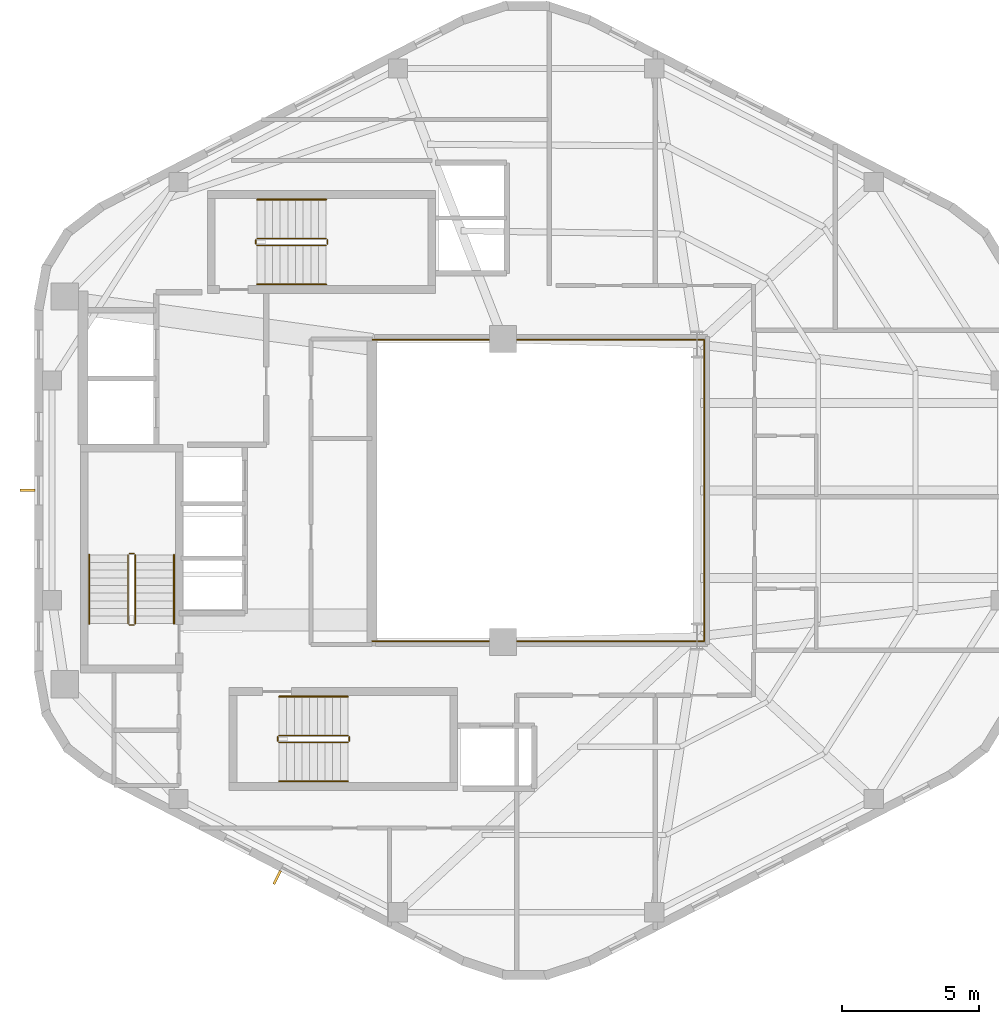
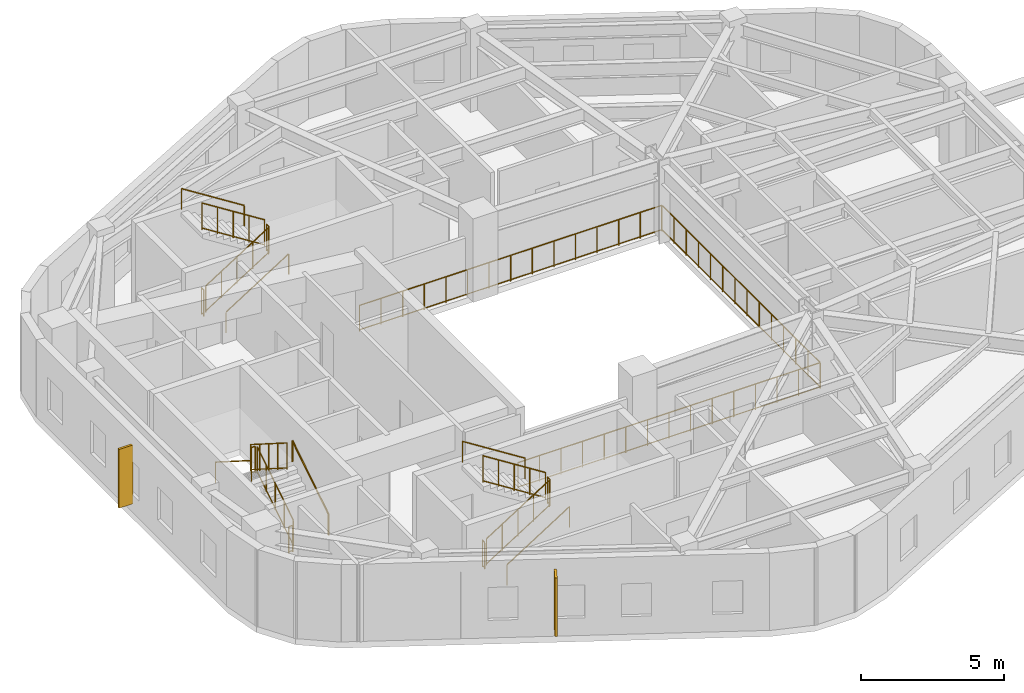
# One storey, part 6 of 6: 19 railings, 2 shading devices.
"""IFC4 building model written with IfcOpenShell, lengths in metres."""

from ifc_helpers import new_model, si_unit, direction, frame, origin, origin_2d, place, context, subcontext, project, spatial, rectangle, circle, extrude, material, type_object, element, save


model = new_model("IFC4")

# Units and contexts
model_context = context("Model", 3, precision=1e-05, world=origin(), true_north=direction((0.0, 1.0)))
body_context = subcontext(model_context, "Body", "Model", "MODEL_VIEW")
ifc_project = project(units=[si_unit("LENGTHUNIT", "METRE"), si_unit("AREAUNIT", "SQUARE_METRE"), si_unit("VOLUMEUNIT", "CUBIC_METRE"), si_unit("PLANEANGLEUNIT", "RADIAN"), si_unit("MASSUNIT", "GRAM", prefix="KILO"), si_unit("THERMODYNAMICTEMPERATUREUNIT", "KELVIN"), si_unit("POWERUNIT", "WATT")], contexts=[model_context])

# Site, building, storey
site_placement = place(None, origin())
site = spatial("IfcSite", under=ifc_project, at=site_placement, CompositionType="ELEMENT")
building_placement = place(site_placement, origin())
building = spatial("IfcBuilding", under=site, at=building_placement, Name="Skarre Station Tower", CompositionType="ELEMENT")
storey_placement = place(building_placement, frame((0.0, 0.0, 252.550048828125)))
storey = spatial("IfcBuildingStorey", under=building, at=storey_placement, Name="L69", CompositionType="ELEMENT", Elevation=252.550048828125)

# Railing
ifc_material_1 = material(Name="Bronze Anodized Steel & Laminated Glass Balustrade", Category="steel")
railing_type_1 = type_object("IfcRailingType", Name="Atrium Void & Mezzanine Guard Balustrade 1120", PredefinedType="GUARDRAIL", material=ifc_material_1)
railing_1_placement = place(storey_placement, frame((27.550048828125, 18.47998046875, 0.0)))
element("IfcRailing", 1, at=railing_1_placement, inside=storey, type_object=railing_type_1, Name="L69 Atrium Void Guard Balustrade", PredefinedType="GUARDRAIL", context=body_context, shape_type="SweptSolid", body=[
    extrude(circle(Radius=0.02392578125, at=origin_2d()), frame((0.0, 0.0, 1.09619140625), z_axis=(1.0, 0.0, 0.0), x_axis=(0.0, 1.0, 0.0)), (0.0, 0.0, 1.0), 12.169921875),
    extrude(circle(Radius=0.02099609375, at=origin_2d()), frame((0.0, 0.0, 0.06005859375), z_axis=(1.0, 0.0, 0.0), x_axis=(0.0, 1.0, 0.0)), (0.0, 0.0, 1.0), 12.169921875),
    extrude(circle(Radius=0.02392578125, at=origin_2d()), frame((12.169921875, 0.0, 1.09619140625), z_axis=(0.0, 1.0, 0.0), x_axis=(-1.0, 0.0, 0.0)), (0.0, 0.0, 1.0), 11.0400390625),
    extrude(circle(Radius=0.02099609375, at=origin_2d()), frame((12.169921875, 0.0, 0.06005859375), z_axis=(0.0, 1.0, 0.0), x_axis=(-1.0, 0.0, 0.0)), (0.0, 0.0, 1.0), 11.0400390625),
    extrude(circle(Radius=0.02392578125, at=origin_2d()), frame((12.169921875, 11.0400390625, 1.09619140625), z_axis=(-1.0, 0.0, 0.0), x_axis=(0.0, -1.0, 0.0)), (0.0, 0.0, 1.0), 12.169921875),
    extrude(circle(Radius=0.02099609375, at=origin_2d()), frame((12.169921875, 11.0400390625, 0.06005859375), z_axis=(-1.0, 0.0, 0.0), x_axis=(0.0, -1.0, 0.0)), (0.0, 0.0, 1.0), 12.169921875),
    extrude(circle(Radius=0.02099609375, at=origin_2d()), origin(), (0.0, 0.0, 1.0), 1.072021484375),
    extrude(circle(Radius=0.02099609375, at=origin_2d()), frame((0.869384765625, 0.0, 0.0)), (0.0, 0.0, 1.0), 1.072021484375),
    extrude(circle(Radius=0.02099609375, at=origin_2d()), frame((1.738525390625, 0.0, 0.0)), (0.0, 0.0, 1.0), 1.072021484375),
    extrude(circle(Radius=0.02099609375, at=origin_2d()), frame((2.60791015625, 0.0, 0.0)), (0.0, 0.0, 1.0), 1.072021484375),
    extrude(circle(Radius=0.02099609375, at=origin_2d()), frame((3.47705078125, 0.0, 0.0)), (0.0, 0.0, 1.0), 1.072021484375),
    extrude(circle(Radius=0.02099609375, at=origin_2d()), frame((4.346435546875, 0.0, 0.0)), (0.0, 0.0, 1.0), 1.072021484375),
    extrude(circle(Radius=0.02099609375, at=origin_2d()), frame((5.215576171875, 0.0, 0.0)), (0.0, 0.0, 1.0), 1.072021484375),
    extrude(circle(Radius=0.02099609375, at=origin_2d()), frame((6.0849609375, 0.0, 0.0)), (0.0, 0.0, 1.0), 1.072021484375),
    extrude(circle(Radius=0.02099609375, at=origin_2d()), frame((6.954345703125, 0.0, 0.0)), (0.0, 0.0, 1.0), 1.072021484375),
    extrude(circle(Radius=0.02099609375, at=origin_2d()), frame((7.823486328125, 0.0, 0.0)), (0.0, 0.0, 1.0), 1.072021484375),
    extrude(circle(Radius=0.02099609375, at=origin_2d()), frame((8.69287109375, 0.0, 0.0)), (0.0, 0.0, 1.0), 1.072021484375),
    extrude(circle(Radius=0.02099609375, at=origin_2d()), frame((9.56201171875, 0.0, 0.0)), (0.0, 0.0, 1.0), 1.072021484375),
    extrude(circle(Radius=0.02099609375, at=origin_2d()), frame((10.431396484375, 0.0, 0.0)), (0.0, 0.0, 1.0), 1.072021484375),
    extrude(circle(Radius=0.02099609375, at=origin_2d()), frame((11.300537109375, 0.0, 0.0)), (0.0, 0.0, 1.0), 1.072021484375),
    extrude(circle(Radius=0.02099609375, at=origin_2d()), frame((12.169921875, 0.0, 0.0)), (0.0, 0.0, 1.0), 1.072021484375),
    extrude(circle(Radius=0.02099609375, at=origin_2d()), frame((12.169921875, 0.84912109375, 0.0)), (0.0, 0.0, 1.0), 1.072021484375),
    extrude(circle(Radius=0.02099609375, at=origin_2d()), frame((12.169921875, 1.698486328125, 0.0)), (0.0, 0.0, 1.0), 1.072021484375),
    extrude(circle(Radius=0.02099609375, at=origin_2d()), frame((12.169921875, 2.547607421875, 0.0)), (0.0, 0.0, 1.0), 1.072021484375),
    extrude(circle(Radius=0.02099609375, at=origin_2d()), frame((12.169921875, 3.39697265625, 0.0)), (0.0, 0.0, 1.0), 1.072021484375),
    extrude(circle(Radius=0.02099609375, at=origin_2d()), frame((12.169921875, 4.24609375, 0.0)), (0.0, 0.0, 1.0), 1.072021484375),
    extrude(circle(Radius=0.02099609375, at=origin_2d()), frame((12.169921875, 5.095458984375, 0.0)), (0.0, 0.0, 1.0), 1.072021484375),
    extrude(circle(Radius=0.02099609375, at=origin_2d()), frame((12.169921875, 5.944580078125, 0.0)), (0.0, 0.0, 1.0), 1.072021484375),
    extrude(circle(Radius=0.02099609375, at=origin_2d()), frame((12.169921875, 6.7939453125, 0.0)), (0.0, 0.0, 1.0), 1.072021484375),
    extrude(circle(Radius=0.02099609375, at=origin_2d()), frame((12.169921875, 7.64306640625, 0.0)), (0.0, 0.0, 1.0), 1.072021484375),
    extrude(circle(Radius=0.02099609375, at=origin_2d()), frame((12.169921875, 8.492431640625, 0.0)), (0.0, 0.0, 1.0), 1.072021484375),
    extrude(circle(Radius=0.02099609375, at=origin_2d()), frame((12.169921875, 9.341552734375, 0.0)), (0.0, 0.0, 1.0), 1.072021484375),
    extrude(circle(Radius=0.02099609375, at=origin_2d()), frame((12.169921875, 10.19091796875, 0.0)), (0.0, 0.0, 1.0), 1.072021484375),
    extrude(circle(Radius=0.02099609375, at=origin_2d()), frame((12.169921875, 11.0400390625, 0.0)), (0.0, 0.0, 1.0), 1.072021484375),
    extrude(circle(Radius=0.02099609375, at=origin_2d()), frame((11.300537109375, 11.0400390625, 0.0)), (0.0, 0.0, 1.0), 1.072021484375),
    extrude(circle(Radius=0.02099609375, at=origin_2d()), frame((10.431396484375, 11.0400390625, 0.0)), (0.0, 0.0, 1.0), 1.072021484375),
    extrude(circle(Radius=0.02099609375, at=origin_2d()), frame((9.56201171875, 11.0400390625, 0.0)), (0.0, 0.0, 1.0), 1.072021484375),
    extrude(circle(Radius=0.02099609375, at=origin_2d()), frame((8.69287109375, 11.0400390625, 0.0)), (0.0, 0.0, 1.0), 1.072021484375),
    extrude(circle(Radius=0.02099609375, at=origin_2d()), frame((7.823486328125, 11.0400390625, 0.0)), (0.0, 0.0, 1.0), 1.072021484375),
    extrude(circle(Radius=0.02099609375, at=origin_2d()), frame((6.954345703125, 11.0400390625, 0.0)), (0.0, 0.0, 1.0), 1.072021484375),
    extrude(circle(Radius=0.02099609375, at=origin_2d()), frame((6.0849609375, 11.0400390625, 0.0)), (0.0, 0.0, 1.0), 1.072021484375),
    extrude(circle(Radius=0.02099609375, at=origin_2d()), frame((5.215576171875, 11.0400390625, 0.0)), (0.0, 0.0, 1.0), 1.072021484375),
    extrude(circle(Radius=0.02099609375, at=origin_2d()), frame((4.346435546875, 11.0400390625, 0.0)), (0.0, 0.0, 1.0), 1.072021484375),
    extrude(circle(Radius=0.02099609375, at=origin_2d()), frame((3.47705078125, 11.0400390625, 0.0)), (0.0, 0.0, 1.0), 1.072021484375),
    extrude(circle(Radius=0.02099609375, at=origin_2d()), frame((2.60791015625, 11.0400390625, 0.0)), (0.0, 0.0, 1.0), 1.072021484375),
    extrude(circle(Radius=0.02099609375, at=origin_2d()), frame((1.738525390625, 11.0400390625, 0.0)), (0.0, 0.0, 1.0), 1.072021484375),
    extrude(circle(Radius=0.02099609375, at=origin_2d()), frame((0.869384765625, 11.0400390625, 0.0)), (0.0, 0.0, 1.0), 1.072021484375),
    extrude(circle(Radius=0.02099609375, at=origin_2d()), frame((0.0, 11.0400390625, 0.0)), (0.0, 0.0, 1.0), 1.072021484375),
])

# Shading devices
ifc_material_2 = material(Name="Bronze Anodized Extruded Aluminium 6063-T6", Category="aluminium")
shading_device_type = type_object("IfcShadingDeviceType", Name="Nordic Bronze Vertical Solar Fin 550x90", PredefinedType="SHUTTER", material=ifc_material_2)
for number, where, z_axis, x_axis, name in (
    (2, (14.93701171875, 24.0, 0.349853515625), (0.0, 0.0, 1.0), (-1.0, 0.0, 0.0), "L69 Facet 2 Bronze Solar Fin"),
    (3, (24.0791015625, 9.827880859375, 0.349853515625), (0.0, 0.0, 1.0), (-0.458711590553, -0.88858521071, 0.0), "L69 Facet 3 Bronze Solar Fin"),
):
    element("IfcShadingDevice", number, at=place(storey_placement, frame(where, z_axis=z_axis, x_axis=x_axis)), inside=storey, type_object=shading_device_type, Name=name, PredefinedType="SHUTTER", context=body_context, shape_type="SweptSolid", body=[
        extrude(rectangle(XDim=0.550048828125, YDim=0.090087890625, at=origin_2d()), origin(), (0.0, 0.0, 1.0), 2.5),
    ])

# Railings
ifc_material_3 = material(Name="Powder-Coated Tubular Steel", Category="steel")
railing_type_2 = type_object("IfcRailingType", Name="Painted Steel Ramp & Stair Handrail 920", PredefinedType="HANDRAIL", material=ifc_material_3)
railing_2_placement = place(storey_placement, frame((20.300048828125, 19.1201171875, 0.177490234375)))
element("IfcRailing", 4, at=railing_2_placement, inside=storey, type_object=railing_type_2, Name="L69 ST-1 stair handrail 1", PredefinedType="HANDRAIL", context=body_context, shape_type="SweptSolid", body=[
    extrude(circle(Radius=0.02392578125, at=origin_2d()), frame((0.0, 0.0, 0.8759765625), z_axis=(0.0, 0.844583492756, 0.535423872987), x_axis=(-1.0, 0.0, 0.0)), (0.0, 0.0, 1.0), 2.9833984375),
    extrude(circle(Radius=0.02099609375, at=origin_2d()), origin(), (0.0, 0.0, 1.0), 0.851806640625),
    extrude(circle(Radius=0.02099609375, at=origin_2d()), frame((0.0, 2.519775390625, 1.597412109375)), (0.0, 0.0, 1.0), 0.851806640625),
])
railing_3_placement = place(storey_placement, frame((17.199951171875, 21.639892578125, 1.952392578125)))
element("IfcRailing", 5, at=railing_3_placement, inside=storey, type_object=railing_type_2, Name="L69 ST-1 stair handrail 2", PredefinedType="HANDRAIL", context=body_context, shape_type="SweptSolid", body=[
    extrude(circle(Radius=0.02392578125, at=origin_2d()), frame((0.0, 0.0, 0.8759765625), z_axis=(0.0, -0.844546487299, 0.535482241341), x_axis=(1.0, 0.0, 0.0)), (0.0, 0.0, 1.0), 2.983642578125),
    extrude(circle(Radius=0.02099609375, at=origin_2d()), origin(), (0.0, 0.0, 1.0), 0.851806640625),
    extrude(circle(Radius=0.02099609375, at=origin_2d()), frame((0.0, -2.519775390625, 1.59765625)), (0.0, 0.0, 1.0), 0.851806640625),
])
railing_4_placement = place(storey_placement, frame((24.14990234375, 13.35009765625, 0.177490234375)))
element("IfcRailing", 6, at=railing_4_placement, inside=storey, type_object=railing_type_2, Name="L69 ST-2 stair handrail 1", PredefinedType="HANDRAIL", context=body_context, shape_type="SweptSolid", body=[
    extrude(circle(Radius=0.02392578125, at=origin_2d()), frame((0.0, 0.0, 0.8759765625), z_axis=(0.84460694969, 0.0, 0.535386869969), x_axis=(0.0, 1.0, 0.0)), (0.0, 0.0, 1.0), 2.983642578125),
    extrude(circle(Radius=0.02099609375, at=origin_2d()), origin(), (0.0, 0.0, 1.0), 0.851806640625),
    extrude(circle(Radius=0.02099609375, at=origin_2d()), frame((2.52001953125, 0.0, 1.597412109375)), (0.0, 0.0, 1.0), 0.851806640625),
])
railing_5_placement = place(storey_placement, frame((26.669921875, 16.449951171875, 1.952392578125)))
element("IfcRailing", 7, at=railing_5_placement, inside=storey, type_object=railing_type_2, Name="L69 ST-2 stair handrail 2", PredefinedType="HANDRAIL", context=body_context, shape_type="SweptSolid", body=[
    extrude(circle(Radius=0.02392578125, at=origin_2d()), frame((0.0, 0.0, 0.8759765625), z_axis=(-0.84456994832, 0.0, 0.535445237532), x_axis=(0.0, -1.0, 0.0)), (0.0, 0.0, 1.0), 2.98388671875),
    extrude(circle(Radius=0.02099609375, at=origin_2d()), origin(), (0.0, 0.0, 1.0), 0.851806640625),
    extrude(circle(Radius=0.02099609375, at=origin_2d()), frame((-2.52001953125, 0.0, 1.59765625)), (0.0, 0.0, 1.0), 0.851806640625),
])
railing_6_placement = place(storey_placement, frame((23.35009765625, 31.550048828125, 0.177490234375)))
element("IfcRailing", 8, at=railing_6_placement, inside=storey, type_object=railing_type_2, Name="L69 ST-3 stair handrail 1", PredefinedType="HANDRAIL", context=body_context, shape_type="SweptSolid", body=[
    extrude(circle(Radius=0.02392578125, at=origin_2d()), frame((0.0, 0.0, 0.8759765625), z_axis=(0.84460694969, 0.0, 0.535386869969), x_axis=(0.0, 1.0, 0.0)), (0.0, 0.0, 1.0), 2.983642578125),
    extrude(circle(Radius=0.02099609375, at=origin_2d()), origin(), (0.0, 0.0, 1.0), 0.851806640625),
    extrude(circle(Radius=0.02099609375, at=origin_2d()), frame((2.52001953125, 0.0, 1.597412109375)), (0.0, 0.0, 1.0), 0.851806640625),
])
railing_7_placement = place(storey_placement, frame((25.8701171875, 34.64990234375, 1.952392578125)))
element("IfcRailing", 9, at=railing_7_placement, inside=storey, type_object=railing_type_2, Name="L69 ST-3 stair handrail 2", PredefinedType="HANDRAIL", context=body_context, shape_type="SweptSolid", body=[
    extrude(circle(Radius=0.02392578125, at=origin_2d()), frame((0.0, 0.0, 0.8759765625), z_axis=(-0.84456994832, 0.0, 0.535445237532), x_axis=(0.0, -1.0, 0.0)), (0.0, 0.0, 1.0), 2.98388671875),
    extrude(circle(Radius=0.02099609375, at=origin_2d()), origin(), (0.0, 0.0, 1.0), 0.851806640625),
    extrude(circle(Radius=0.02099609375, at=origin_2d()), frame((-2.52001953125, 0.0, 1.59765625)), (0.0, 0.0, 1.0), 0.851806640625),
])
railing_type_3 = type_object("IfcRailingType", Name="Painted Steel Stairwell Guardrail 1100", PredefinedType="GUARDRAIL", material=ifc_material_3)
railing_8_placement = place(storey_placement, frame((18.8798828125, 19.1201171875, 0.177490234375)))
element("IfcRailing", 10, at=railing_8_placement, inside=storey, type_object=railing_type_3, Name="L69 ST-1 stair guard 1", PredefinedType="GUARDRAIL", context=body_context, shape_type="SweptSolid", body=[
    extrude(circle(Radius=0.02392578125, at=origin_2d()), frame((0.0, 0.0, 1.1259765625), z_axis=(0.0, 0.844583492756, 0.535423872987), x_axis=(-1.0, 0.0, 0.0)), (0.0, 0.0, 1.0), 2.9833984375),
    extrude(circle(Radius=0.02099609375, at=origin_2d()), frame((0.0, 0.0, 0.06005859375), z_axis=(0.0, 0.844583492756, 0.535423872987), x_axis=(-1.0, 0.0, 0.0)), (0.0, 0.0, 1.0), 2.9833984375),
    extrude(circle(Radius=0.02099609375, at=origin_2d()), origin(), (0.0, 0.0, 1.0), 1.101806640625),
    extrude(circle(Radius=0.02099609375, at=origin_2d()), frame((0.0, 0.6298828125, 0.3994140625)), (0.0, 0.0, 1.0), 1.101806640625),
    extrude(circle(Radius=0.02099609375, at=origin_2d()), frame((0.0, 1.259765625, 0.798828125)), (0.0, 0.0, 1.0), 1.101806640625),
    extrude(circle(Radius=0.02099609375, at=origin_2d()), frame((0.0, 1.889892578125, 1.197998046875)), (0.0, 0.0, 1.0), 1.101806640625),
    extrude(circle(Radius=0.02099609375, at=origin_2d()), frame((0.0, 2.519775390625, 1.597412109375)), (0.0, 0.0, 1.0), 1.101806640625),
])
railing_9_placement = place(storey_placement, frame((18.830078125, 21.68994140625, 1.77490234375)))
element("IfcRailing", 11, at=railing_9_placement, inside=storey, type_object=railing_type_3, Name="L69 ST-1 stair guard 2", PredefinedType="GUARDRAIL", context=body_context, shape_type="SweptSolid", body=[
    extrude(circle(Radius=0.02392578125, at=origin_2d()), frame((0.0, 0.0, 1.1259765625), z_axis=(-1.0, 0.0, 0.0), x_axis=(0.0, -1.0, 0.0)), (0.0, 0.0, 1.0), 0.16015625),
    extrude(circle(Radius=0.02099609375, at=origin_2d()), frame((0.0, 0.0, 0.06005859375), z_axis=(-1.0, 0.0, 0.0), x_axis=(0.0, -1.0, 0.0)), (0.0, 0.0, 1.0), 0.16015625),
    extrude(circle(Radius=0.02099609375, at=origin_2d()), origin(), (0.0, 0.0, 1.0), 1.101806640625),
    extrude(circle(Radius=0.02099609375, at=origin_2d()), frame((-0.16015625, 0.0, 0.0)), (0.0, 0.0, 1.0), 1.101806640625),
])
railing_10_placement = place(storey_placement, frame((18.6201171875, 21.639892578125, 1.952392578125)))
element("IfcRailing", 12, at=railing_10_placement, inside=storey, type_object=railing_type_3, Name="L69 ST-1 stair guard 3", PredefinedType="GUARDRAIL", context=body_context, shape_type="SweptSolid", body=[
    extrude(circle(Radius=0.02392578125, at=origin_2d()), frame((0.0, 0.0, 1.1259765625), z_axis=(0.0, -0.844546487299, 0.535482241341), x_axis=(1.0, 0.0, 0.0)), (0.0, 0.0, 1.0), 2.983642578125),
    extrude(circle(Radius=0.02099609375, at=origin_2d()), frame((0.0, 0.0, 0.06005859375), z_axis=(0.0, -0.844546487299, 0.535482241341), x_axis=(1.0, 0.0, 0.0)), (0.0, 0.0, 1.0), 2.983642578125),
    extrude(circle(Radius=0.02099609375, at=origin_2d()), origin(), (0.0, 0.0, 1.0), 1.101806640625),
    extrude(circle(Radius=0.02099609375, at=origin_2d()), frame((0.0, -0.6298828125, 0.3994140625)), (0.0, 0.0, 1.0), 1.101806640625),
    extrude(circle(Radius=0.02099609375, at=origin_2d()), frame((0.0, -1.259765625, 0.798828125)), (0.0, 0.0, 1.0), 1.101806640625),
    extrude(circle(Radius=0.02099609375, at=origin_2d()), frame((0.0, -1.889892578125, 1.1982421875)), (0.0, 0.0, 1.0), 1.101806640625),
    extrude(circle(Radius=0.02099609375, at=origin_2d()), frame((0.0, -2.519775390625, 1.59765625)), (0.0, 0.0, 1.0), 1.101806640625),
])
railing_11_placement = place(storey_placement, frame((18.830078125, 19.070068359375, 0.0)))
element("IfcRailing", 13, at=railing_11_placement, inside=storey, type_object=railing_type_3, Name="L69 ST-1 stair guard 4", PredefinedType="GUARDRAIL", context=body_context, shape_type="SweptSolid", body=[
    extrude(circle(Radius=0.02392578125, at=origin_2d()), frame((0.0, 0.0, 1.1259765625), z_axis=(-1.0, 0.0, 0.0), x_axis=(0.0, -1.0, 0.0)), (0.0, 0.0, 1.0), 0.16015625),
    extrude(circle(Radius=0.02099609375, at=origin_2d()), frame((0.0, 0.0, 0.06005859375), z_axis=(-1.0, 0.0, 0.0), x_axis=(0.0, -1.0, 0.0)), (0.0, 0.0, 1.0), 0.16015625),
    extrude(circle(Radius=0.02099609375, at=origin_2d()), origin(), (0.0, 0.0, 1.0), 1.101806640625),
    extrude(circle(Radius=0.02099609375, at=origin_2d()), frame((-0.16015625, 0.0, 0.0)), (0.0, 0.0, 1.0), 1.101806640625),
])
railing_12_placement = place(storey_placement, frame((24.14990234375, 14.77001953125, 0.177490234375)))
element("IfcRailing", 14, at=railing_12_placement, inside=storey, type_object=railing_type_3, Name="L69 ST-2 stair guard 1", PredefinedType="GUARDRAIL", context=body_context, shape_type="SweptSolid", body=[
    extrude(circle(Radius=0.02392578125, at=origin_2d()), frame((0.0, 0.0, 1.1259765625), z_axis=(0.84460694969, 0.0, 0.535386869969), x_axis=(0.0, 1.0, 0.0)), (0.0, 0.0, 1.0), 2.983642578125),
    extrude(circle(Radius=0.02099609375, at=origin_2d()), frame((0.0, 0.0, 0.06005859375), z_axis=(0.84460694969, 0.0, 0.535386869969), x_axis=(0.0, 1.0, 0.0)), (0.0, 0.0, 1.0), 2.983642578125),
    extrude(circle(Radius=0.02099609375, at=origin_2d()), origin(), (0.0, 0.0, 1.0), 1.101806640625),
    extrude(circle(Radius=0.02099609375, at=origin_2d()), frame((0.6298828125, 0.0, 0.3994140625)), (0.0, 0.0, 1.0), 1.101806640625),
    extrude(circle(Radius=0.02099609375, at=origin_2d()), frame((1.260009765625, 0.0, 0.798828125)), (0.0, 0.0, 1.0), 1.101806640625),
    extrude(circle(Radius=0.02099609375, at=origin_2d()), frame((1.89013671875, 0.0, 1.197998046875)), (0.0, 0.0, 1.0), 1.101806640625),
    extrude(circle(Radius=0.02099609375, at=origin_2d()), frame((2.52001953125, 0.0, 1.597412109375)), (0.0, 0.0, 1.0), 1.101806640625),
])
railing_13_placement = place(storey_placement, frame((26.719970703125, 14.820068359375, 1.77490234375)))
element("IfcRailing", 15, at=railing_13_placement, inside=storey, type_object=railing_type_3, Name="L69 ST-2 stair guard 2", PredefinedType="GUARDRAIL", context=body_context, shape_type="SweptSolid", body=[
    extrude(circle(Radius=0.02392578125, at=origin_2d()), frame((0.0, 0.0, 1.1259765625), z_axis=(0.0, 1.0, 0.0), x_axis=(-1.0, 0.0, 0.0)), (0.0, 0.0, 1.0), 0.159912109375),
    extrude(circle(Radius=0.02099609375, at=origin_2d()), frame((0.0, 0.0, 0.06005859375), z_axis=(0.0, 1.0, 0.0), x_axis=(-1.0, 0.0, 0.0)), (0.0, 0.0, 1.0), 0.159912109375),
    extrude(circle(Radius=0.02099609375, at=origin_2d()), origin(), (0.0, 0.0, 1.0), 1.101806640625),
    extrude(circle(Radius=0.02099609375, at=origin_2d()), frame((0.0, 0.159912109375, 0.0)), (0.0, 0.0, 1.0), 1.101806640625),
])
railing_14_placement = place(storey_placement, frame((26.669921875, 15.030029296875, 1.952392578125)))
element("IfcRailing", 16, at=railing_14_placement, inside=storey, type_object=railing_type_3, Name="L69 ST-2 stair guard 3", PredefinedType="GUARDRAIL", context=body_context, shape_type="SweptSolid", body=[
    extrude(circle(Radius=0.02392578125, at=origin_2d()), frame((0.0, 0.0, 1.1259765625), z_axis=(-0.84456994832, 0.0, 0.535445237532), x_axis=(0.0, -1.0, 0.0)), (0.0, 0.0, 1.0), 2.98388671875),
    extrude(circle(Radius=0.02099609375, at=origin_2d()), frame((0.0, 0.0, 0.06005859375), z_axis=(-0.84456994832, 0.0, 0.535445237532), x_axis=(0.0, -1.0, 0.0)), (0.0, 0.0, 1.0), 2.98388671875),
    extrude(circle(Radius=0.02099609375, at=origin_2d()), origin(), (0.0, 0.0, 1.0), 1.101806640625),
    extrude(circle(Radius=0.02099609375, at=origin_2d()), frame((-0.6298828125, 0.0, 0.3994140625)), (0.0, 0.0, 1.0), 1.101806640625),
    extrude(circle(Radius=0.02099609375, at=origin_2d()), frame((-1.260009765625, 0.0, 0.798828125)), (0.0, 0.0, 1.0), 1.101806640625),
    extrude(circle(Radius=0.02099609375, at=origin_2d()), frame((-1.89013671875, 0.0, 1.1982421875)), (0.0, 0.0, 1.0), 1.101806640625),
    extrude(circle(Radius=0.02099609375, at=origin_2d()), frame((-2.52001953125, 0.0, 1.59765625)), (0.0, 0.0, 1.0), 1.101806640625),
])
railing_15_placement = place(storey_placement, frame((24.10009765625, 14.820068359375, 0.0)))
element("IfcRailing", 17, at=railing_15_placement, inside=storey, type_object=railing_type_3, Name="L69 ST-2 stair guard 4", PredefinedType="GUARDRAIL", context=body_context, shape_type="SweptSolid", body=[
    extrude(circle(Radius=0.02392578125, at=origin_2d()), frame((0.0, 0.0, 1.1259765625), z_axis=(0.0, 1.0, 0.0), x_axis=(-1.0, 0.0, 0.0)), (0.0, 0.0, 1.0), 0.159912109375),
    extrude(circle(Radius=0.02099609375, at=origin_2d()), frame((0.0, 0.0, 0.06005859375), z_axis=(0.0, 1.0, 0.0), x_axis=(-1.0, 0.0, 0.0)), (0.0, 0.0, 1.0), 0.159912109375),
    extrude(circle(Radius=0.02099609375, at=origin_2d()), origin(), (0.0, 0.0, 1.0), 1.101806640625),
    extrude(circle(Radius=0.02099609375, at=origin_2d()), frame((0.0, 0.159912109375, 0.0)), (0.0, 0.0, 1.0), 1.101806640625),
])
railing_16_placement = place(storey_placement, frame((23.35009765625, 32.969970703125, 0.177490234375)))
element("IfcRailing", 18, at=railing_16_placement, inside=storey, type_object=railing_type_3, Name="L69 ST-3 stair guard 1", PredefinedType="GUARDRAIL", context=body_context, shape_type="SweptSolid", body=[
    extrude(circle(Radius=0.02392578125, at=origin_2d()), frame((0.0, 0.0, 1.1259765625), z_axis=(0.84460694969, 0.0, 0.535386869969), x_axis=(0.0, 1.0, 0.0)), (0.0, 0.0, 1.0), 2.983642578125),
    extrude(circle(Radius=0.02099609375, at=origin_2d()), frame((0.0, 0.0, 0.06005859375), z_axis=(0.84460694969, 0.0, 0.535386869969), x_axis=(0.0, 1.0, 0.0)), (0.0, 0.0, 1.0), 2.983642578125),
    extrude(circle(Radius=0.02099609375, at=origin_2d()), origin(), (0.0, 0.0, 1.0), 1.101806640625),
    extrude(circle(Radius=0.02099609375, at=origin_2d()), frame((0.6298828125, 0.0, 0.3994140625)), (0.0, 0.0, 1.0), 1.101806640625),
    extrude(circle(Radius=0.02099609375, at=origin_2d()), frame((1.260009765625, 0.0, 0.798828125)), (0.0, 0.0, 1.0), 1.101806640625),
    extrude(circle(Radius=0.02099609375, at=origin_2d()), frame((1.89013671875, 0.0, 1.197998046875)), (0.0, 0.0, 1.0), 1.101806640625),
    extrude(circle(Radius=0.02099609375, at=origin_2d()), frame((2.52001953125, 0.0, 1.597412109375)), (0.0, 0.0, 1.0), 1.101806640625),
])
railing_17_placement = place(storey_placement, frame((25.919921875, 33.02001953125, 1.77490234375)))
element("IfcRailing", 19, at=railing_17_placement, inside=storey, type_object=railing_type_3, Name="L69 ST-3 stair guard 2", PredefinedType="GUARDRAIL", context=body_context, shape_type="SweptSolid", body=[
    extrude(circle(Radius=0.02392578125, at=origin_2d()), frame((0.0, 0.0, 1.1259765625), z_axis=(0.0, 1.0, 0.0), x_axis=(-1.0, 0.0, 0.0)), (0.0, 0.0, 1.0), 0.159912109375),
    extrude(circle(Radius=0.02099609375, at=origin_2d()), frame((0.0, 0.0, 0.06005859375), z_axis=(0.0, 1.0, 0.0), x_axis=(-1.0, 0.0, 0.0)), (0.0, 0.0, 1.0), 0.159912109375),
    extrude(circle(Radius=0.02099609375, at=origin_2d()), origin(), (0.0, 0.0, 1.0), 1.101806640625),
    extrude(circle(Radius=0.02099609375, at=origin_2d()), frame((0.0, 0.159912109375, 0.0)), (0.0, 0.0, 1.0), 1.101806640625),
])
railing_18_placement = place(storey_placement, frame((25.8701171875, 33.22998046875, 1.952392578125)))
element("IfcRailing", 20, at=railing_18_placement, inside=storey, type_object=railing_type_3, Name="L69 ST-3 stair guard 3", PredefinedType="GUARDRAIL", context=body_context, shape_type="SweptSolid", body=[
    extrude(circle(Radius=0.02392578125, at=origin_2d()), frame((0.0, 0.0, 1.1259765625), z_axis=(-0.84456994832, 0.0, 0.535445237532), x_axis=(0.0, -1.0, 0.0)), (0.0, 0.0, 1.0), 2.98388671875),
    extrude(circle(Radius=0.02099609375, at=origin_2d()), frame((0.0, 0.0, 0.06005859375), z_axis=(-0.84456994832, 0.0, 0.535445237532), x_axis=(0.0, -1.0, 0.0)), (0.0, 0.0, 1.0), 2.98388671875),
    extrude(circle(Radius=0.02099609375, at=origin_2d()), origin(), (0.0, 0.0, 1.0), 1.101806640625),
    extrude(circle(Radius=0.02099609375, at=origin_2d()), frame((-0.6298828125, 0.0, 0.3994140625)), (0.0, 0.0, 1.0), 1.101806640625),
    extrude(circle(Radius=0.02099609375, at=origin_2d()), frame((-1.260009765625, 0.0, 0.798828125)), (0.0, 0.0, 1.0), 1.101806640625),
    extrude(circle(Radius=0.02099609375, at=origin_2d()), frame((-1.89013671875, 0.0, 1.1982421875)), (0.0, 0.0, 1.0), 1.101806640625),
    extrude(circle(Radius=0.02099609375, at=origin_2d()), frame((-2.52001953125, 0.0, 1.59765625)), (0.0, 0.0, 1.0), 1.101806640625),
])
railing_19_placement = place(storey_placement, frame((23.300048828125, 33.02001953125, 0.0)))
element("IfcRailing", 21, at=railing_19_placement, inside=storey, type_object=railing_type_3, Name="L69 ST-3 stair guard 4", PredefinedType="GUARDRAIL", context=body_context, shape_type="SweptSolid", body=[
    extrude(circle(Radius=0.02392578125, at=origin_2d()), frame((0.0, 0.0, 1.1259765625), z_axis=(0.0, 1.0, 0.0), x_axis=(-1.0, 0.0, 0.0)), (0.0, 0.0, 1.0), 0.159912109375),
    extrude(circle(Radius=0.02099609375, at=origin_2d()), frame((0.0, 0.0, 0.06005859375), z_axis=(0.0, 1.0, 0.0), x_axis=(-1.0, 0.0, 0.0)), (0.0, 0.0, 1.0), 0.159912109375),
    extrude(circle(Radius=0.02099609375, at=origin_2d()), origin(), (0.0, 0.0, 1.0), 1.101806640625),
    extrude(circle(Radius=0.02099609375, at=origin_2d()), frame((0.0, 0.159912109375, 0.0)), (0.0, 0.0, 1.0), 1.101806640625),
])

save(model, "model.ifc")
